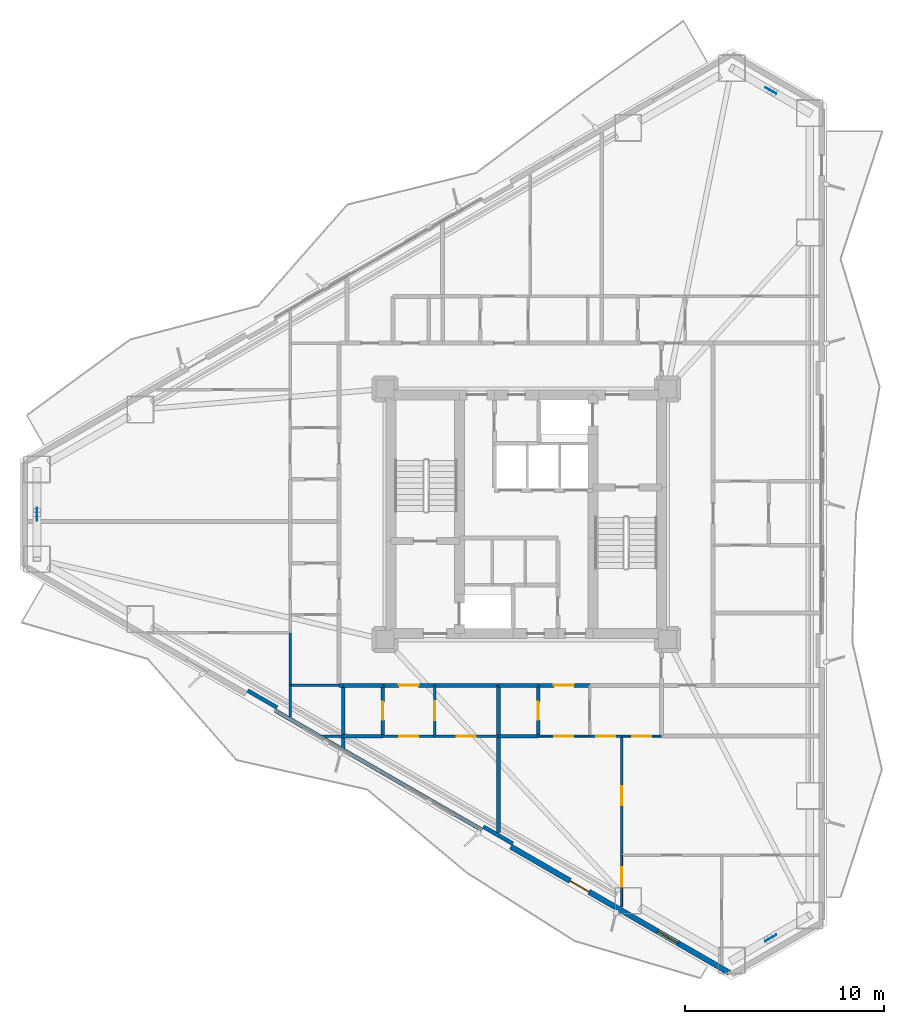
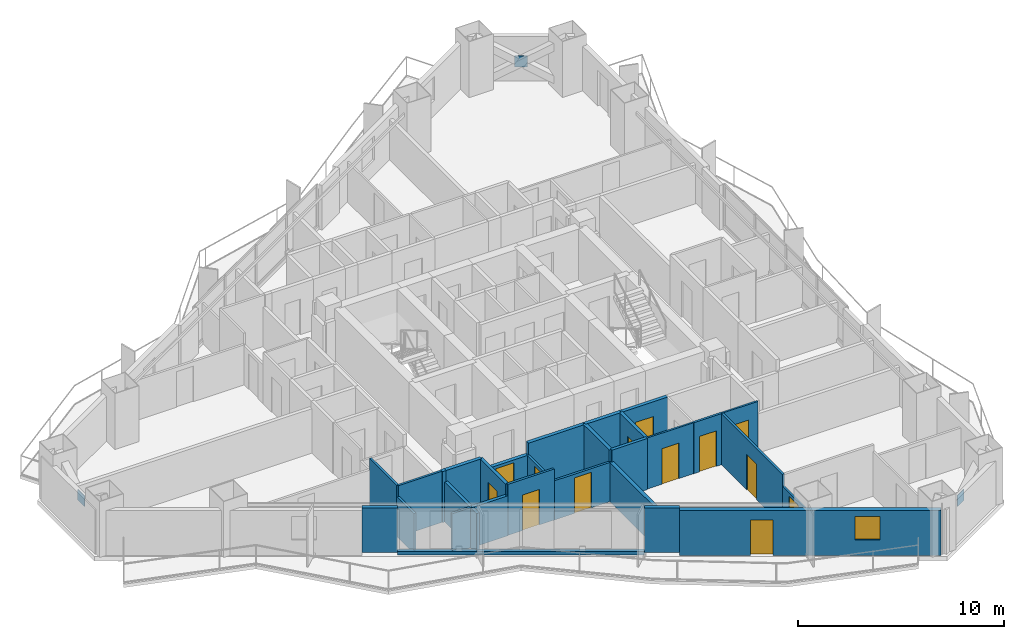
# One storey, part 11 of 18: 29 walls, 13 doors, 3 plates, 1 window, 14 openings.
"""IFC4 building model written with IfcOpenShell, lengths in metres."""

from ifc_helpers import new_model, si_unit, direction, frame, frame_2d, origin, origin_2d, place, context, subcontext, project, spatial, rectangle, extrude, material, layer, layer_set, type_object, element, fill, save


model = new_model("IFC4")

# Units and contexts
model_context = context("Model", 3, precision=1e-05, world=origin(), true_north=direction((0.0, 1.0)))
body_context = subcontext(model_context, "Body", "Model", "MODEL_VIEW")
ifc_project = project(units=[si_unit("LENGTHUNIT", "METRE"), si_unit("AREAUNIT", "SQUARE_METRE"), si_unit("VOLUMEUNIT", "CUBIC_METRE"), si_unit("PLANEANGLEUNIT", "RADIAN"), si_unit("MASSUNIT", "GRAM", prefix="KILO")], contexts=[model_context])

# Site, building, storey
site_placement = place(None, origin())
site = spatial("IfcSite", under=ifc_project, at=site_placement, CompositionType="ELEMENT")
building_placement = place(site_placement, origin())
building = spatial("IfcBuilding", under=site, at=building_placement, Name="Mersakhor Tower and Convention Hall", CompositionType="ELEMENT")
storey_placement = place(building_placement, frame((0.0, 0.0, 58.800048828125)))
storey = spatial("IfcBuildingStorey", under=building, at=storey_placement, Name="L16", CompositionType="ELEMENT", Elevation=58.800048828125)

# Plates
ifc_material_1 = material(Name="Steel S460", Category="steel")
ifc_layer_1 = layer(ifc_material_1, 0.0400390625)
ifc_layer_set_1 = layer_set([ifc_layer_1], Name="Steel S460")
plate_type = type_object("IfcPlateType", Name="PL-GUSSET-40", PredefinedType="SHEET", material=ifc_layer_set_1)
for number, where, z_axis, x_axis, name in (
    (1, (41.29345703125, 48.04296875, 1.18994140625), (0.0, 0.0, 1.0), (-0.866025403784, 0.5, 0.0), "L16 X-Brace Crossing Gusset Node Plate"),
    (2, (41.29345703125, 5.45703125, 1.18994140625), (0.0, 0.0, 1.0), (0.866025403784, 0.5, 0.0), "L16 X-Brace Crossing Gusset Node Plate"),
    (3, (4.4130859375, 26.75, 1.18994140625), (0.0, 0.0, 1.0), (0.0, -1.0, 0.0), "L16 X-Brace Crossing Gusset Node Plate"),
):
    element("IfcPlate", number, at=place(storey_placement, frame(where, z_axis=z_axis, x_axis=x_axis)), inside=storey, type_object=plate_type, Name=name, PredefinedType="SHEET", context=body_context, shape_type="SweptSolid", body=[
        extrude(rectangle(XDim=0.639892578125, YDim=0.0400390625, at=origin_2d()), origin(), (0.0, 0.0, 1.0), 0.639892578125),
    ])

# Wall, openings, door, window
ifc_material_2 = material(Name="Precast concrete C45/55", Category="concrete")
ifc_layer_2 = layer(ifc_material_2, 0.27490234375)
ifc_layer_set_2 = layer_set([ifc_layer_2], Name="Precast concrete C45/55")
wall_type_1 = type_object("IfcWallType", Name="WL-EXT-275", PredefinedType="SOLIDWALL", material=ifc_layer_set_2)
wall_1_placement = place(storey_placement, frame((39.20703125, 3.709716796875, 0.0), z_axis=(0.0, 0.0, 1.0), x_axis=(-0.86603192154, 0.499988710747, 0.0)))
wall_1 = element("IfcWall", 4, at=wall_1_placement, inside=storey, type_object=wall_type_1, Name="L16 Exterior Facade Wall F3-B1", PredefinedType="SOLIDWALL", context=body_context, shape_type="SweptSolid", body=[
    extrude(rectangle(XDim=12.673095703125, YDim=0.27490234375, at=frame_2d((6.33642578125, 0.0))), origin(), (0.0, 0.0, 1.0), 2.639892578125),
])
opening_1_placement = place(wall_1_placement, frame((8.135986328125, 0.0, 0.0)))
opening_1 = element("IfcOpeningElement", 5, at=opening_1_placement, cuts=wall_1, Name="Opening BD-02", PredefinedType="OPENING", context=body_context, shape_type="SweptSolid", body=[
    extrude(rectangle(XDim=1.10009765625, YDim=2.10009765625, at=frame_2d((0.550048828125, 1.050048828125))), frame((0.0, 0.1474609375, 0.0), z_axis=(0.0, -1.0, 0.0), x_axis=(1.0, 0.0, 0.0)), (0.0, 0.0, 1.0), 0.294921875),
])
opening_2_placement = place(wall_1_placement, frame((2.970947265625, 0.0, 0.89990234375)))
opening_2 = element("IfcOpeningElement", 6, at=opening_2_placement, cuts=wall_1, Name="Opening W-01", PredefinedType="OPENING", context=body_context, shape_type="SweptSolid", body=[
    extrude(rectangle(XDim=1.199951171875, YDim=1.39990234375, at=frame_2d((0.60009765625, 0.699951171875))), frame((0.0, 0.1474609375, 0.0), z_axis=(0.0, -1.0, 0.0), x_axis=(1.0, 0.0, 0.0)), (0.0, 0.0, 1.0), 0.294921875),
])
ifc_material_3 = material(Name="Thermally broken dark aluminium and safety glass", Category="aluminium")
door_type_1 = type_object("IfcDoorType", Name="DR-BAL-110x210", OperationType="NOTDEFINED", PredefinedType="DOOR", material=ifc_material_3)
door_1_placement = place(opening_1_placement, origin())
door_1 = element("IfcDoor", 7, at=door_1_placement, inside=storey, type_object=door_type_1, Name="L16 Balcony Terrace Door F3-B1", OperationType="SINGLE_SWING_RIGHT", OverallHeight=2.10009765625, OverallWidth=1.10009765625, PredefinedType="DOOR", context=body_context, shape_type="SweptSolid", body=[
    extrude(rectangle(XDim=1.10009765625, YDim=2.10009765625, at=frame_2d((0.550048828125, 1.050048828125))), frame((0.0, 0.02490234375, 0.0), z_axis=(0.0, -1.0, 0.0), x_axis=(1.0, 0.0, 0.0)), (0.0, 0.0, 1.0), 0.050048828125),
])
fill(opening_1, door_1)
ifc_material_4 = material(Name="Dark solar low-E glazed aluminium window", Category="aluminium")
window_type = type_object("IfcWindowType", Name="WN-RES-120x150", PartitioningType="SINGLE_PANEL", PredefinedType="WINDOW", material=ifc_material_4)
window_placement = place(opening_2_placement, origin())
window = element("IfcWindow", 8, at=window_placement, inside=storey, type_object=window_type, Name="L16 Bedroom Facade Window F3-B1-1", OverallHeight=1.39990234375, OverallWidth=1.199951171875, PartitioningType="SINGLE_PANEL", PredefinedType="WINDOW", context=body_context, shape_type="SweptSolid", body=[
    extrude(rectangle(XDim=1.199951171875, YDim=1.39990234375, at=frame_2d((0.60009765625, 0.699951171875))), frame((0.0, 0.030029296875, 0.0), z_axis=(0.0, -1.0, 0.0), x_axis=(1.0, 0.0, 0.0)), (0.0, 0.0, 1.0), 0.06005859375),
])
fill(opening_2, window)

# Walls
ifc_material_5 = material(Name="Precast concrete C40/50", Category="concrete")
ifc_layer_3 = layer(ifc_material_5, 0.199951171875)
ifc_layer_set_3 = layer_set([ifc_layer_3], Name="Precast concrete C40/50")
wall_type_2 = type_object("IfcWallType", Name="WL-PAR-200", PredefinedType="PARAPET", material=ifc_layer_set_3)
wall_2_placement = place(storey_placement, frame((26.759521484375, 10.896240234375, 0.0), z_axis=(0.0, 0.0, 1.0), x_axis=(-0.866027351828, 0.499996625875, 0.0)))
element("IfcWall", 9, at=wall_2_placement, inside=storey, type_object=wall_type_2, Name="L16 Curtain Wall Upstand Sill F3-B2", PredefinedType="PARAPET", context=body_context, shape_type="SweptSolid", body=[
    extrude(rectangle(XDim=11.97314453125, YDim=0.199951171875, at=frame_2d((5.986572265625, 0.0))), origin(), (0.0, 0.0, 1.0), 0.199951171875),
])
for number, where, z_axis, x_axis, name in (
    (10, (28.32177734375, 10.2021484375, 0.0), (0.0, 0.0, 1.0), (-0.86605165483, 0.499954529098, 0.0), "L16 Column Pier Cladding Wall F3-C1"),
    (11, (16.48046875, 17.038818359375, 0.0), (0.0, 0.0, 1.0), (-0.86605165483, 0.499954529098, 0.0), "L16 Column Pier Cladding Wall F3-C2"),
):
    element("IfcWall", number, at=place(storey_placement, frame(where, z_axis=z_axis, x_axis=x_axis)), inside=storey, type_object=wall_type_2, Name=name, PredefinedType="PARAPET", context=body_context, shape_type="SweptSolid", body=[
        extrude(rectangle(XDim=1.699951171875, YDim=0.199951171875, at=frame_2d((0.85009765625, 0.0))), origin(), (0.0, 0.0, 1.0), 2.639892578125),
    ])

# Wall, opening, door
ifc_material_6 = material(Name="Moisture-resistant acoustic drywall studwork", Category="other")
ifc_layer_4 = layer(ifc_material_6, 0.175048828125)
ifc_layer_set_4 = layer_set([ifc_layer_4], Name="Moisture-resistant acoustic drywall studwork")
wall_type_3 = type_object("IfcWallType", Name="WL-PLM-175", PredefinedType="PLUMBINGWALL", material=ifc_layer_set_4)
wall_3_placement = place(storey_placement, frame((21.800048828125, 15.60009765625, 0.0), z_axis=(0.0, 0.0, 1.0), x_axis=(0.0, 1.0, 0.0)))
wall_3 = element("IfcWall", 12, at=wall_3_placement, inside=storey, type_object=wall_type_3, Name="L16 Interior Partition Wall P-076", PredefinedType="PLUMBINGWALL", context=body_context, shape_type="SweptSolid", body=[
    extrude(rectangle(XDim=2.5498046875, YDim=0.175048828125, at=frame_2d((1.27490234375, 0.0))), origin(), (0.0, 0.0, 1.0), 3.02001953125),
])
opening_3_placement = place(wall_3_placement, frame((0.824951171875, 0.0, 0.0)))
opening_3 = element("IfcOpeningElement", 13, at=opening_3_placement, cuts=wall_3, Name="Opening WD-01", PredefinedType="OPENING", context=body_context, shape_type="SweptSolid", body=[
    extrude(rectangle(XDim=0.89990234375, YDim=2.10009765625, at=frame_2d((0.449951171875, 1.050048828125))), frame((0.0, 0.097412109375, 0.0), z_axis=(0.0, -1.0, 0.0), x_axis=(1.0, 0.0, 0.0)), (0.0, 0.0, 1.0), 0.195068359375),
])
ifc_material_7 = material(Name="Solid-core hardwood leaf in painted steel frame", Category="steel")
door_type_2 = type_object("IfcDoorType", Name="DR-INT-WET-090x210", OperationType="NOTDEFINED", PredefinedType="DOOR", material=ifc_material_7)
door_2_placement = place(opening_3_placement, origin())
door_2 = element("IfcDoor", 14, at=door_2_placement, inside=storey, type_object=door_type_2, Name="L16 L16 Flat S4 Apartment Hall to L16 Flat S4 Bathroom Door", OperationType="SINGLE_SWING_RIGHT", OverallHeight=2.10009765625, OverallWidth=0.89990234375, PredefinedType="DOOR", context=body_context, shape_type="SweptSolid", body=[
    extrude(rectangle(XDim=0.89990234375, YDim=2.10009765625, at=frame_2d((0.449951171875, 1.050048828125))), frame((0.0, 0.02490234375, 0.0), z_axis=(0.0, -1.0, 0.0), x_axis=(1.0, 0.0, 0.0)), (0.0, 0.0, 1.0), 0.050048828125),
])
fill(opening_3, door_2)

wall_4_placement = place(storey_placement, frame((29.60009765625, 15.60009765625, 0.0), z_axis=(0.0, 0.0, 1.0), x_axis=(0.0, 1.0, 0.0)))
wall_4 = element("IfcWall", 15, at=wall_4_placement, inside=storey, type_object=wall_type_3, Name="L16 Interior Partition Wall P-079", PredefinedType="PLUMBINGWALL", context=body_context, shape_type="SweptSolid", body=[
    extrude(rectangle(XDim=2.5498046875, YDim=0.175048828125, at=frame_2d((1.27490234375, 0.0))), origin(), (0.0, 0.0, 1.0), 3.02001953125),
])
opening_4_placement = place(wall_4_placement, frame((0.824951171875, 0.0, 0.0)))
opening_4 = element("IfcOpeningElement", 16, at=opening_4_placement, cuts=wall_4, Name="Opening WD-01", PredefinedType="OPENING", context=body_context, shape_type="SweptSolid", body=[
    extrude(rectangle(XDim=0.89990234375, YDim=2.10009765625, at=frame_2d((0.449951171875, 1.050048828125))), frame((0.0, 0.097412109375, 0.0), z_axis=(0.0, -1.0, 0.0), x_axis=(1.0, 0.0, 0.0)), (0.0, 0.0, 1.0), 0.195068359375),
])
door_3_placement = place(opening_4_placement, origin())
door_3 = element("IfcDoor", 17, at=door_3_placement, inside=storey, type_object=door_type_2, Name="L16 L16 Flat S5 Apartment Hall to L16 Flat S5 Bathroom Door", OperationType="SINGLE_SWING_LEFT", OverallHeight=2.10009765625, OverallWidth=0.89990234375, PredefinedType="DOOR", context=body_context, shape_type="SweptSolid", body=[
    extrude(rectangle(XDim=0.89990234375, YDim=2.10009765625, at=frame_2d((0.449951171875, 1.050048828125))), frame((0.0, 0.02490234375, 0.0), z_axis=(0.0, -1.0, 0.0), x_axis=(1.0, 0.0, 0.0)), (0.0, 0.0, 1.0), 0.050048828125),
])
fill(opening_4, door_3)

# Walls
wall_5_placement = place(storey_placement, frame((21.800048828125, 15.60009765625, 0.0), z_axis=(0.0, 0.0, 1.0), x_axis=(-1.0, 0.0, 0.0)))
element("IfcWall", 18, at=wall_5_placement, inside=storey, type_object=wall_type_3, Name="L16 Interior Partition Wall P-101", PredefinedType="PLUMBINGWALL", context=body_context, shape_type="SweptSolid", body=[
    extrude(rectangle(XDim=2.0, YDim=0.175048828125, at=frame_2d((1.0, 0.0))), origin(), (0.0, 0.0, 1.0), 2.364990234375),
])
wall_6_placement = place(storey_placement, frame((19.800048828125, 14.955810546875, 0.0), z_axis=(0.0, 0.0, 1.0), x_axis=(0.0, 1.0, 0.0)))
element("IfcWall", 19, at=wall_6_placement, inside=storey, type_object=wall_type_3, Name="L16 Interior Partition Wall P-102", PredefinedType="PLUMBINGWALL", context=body_context, shape_type="SweptSolid", body=[
    extrude(rectangle(XDim=3.194091796875, YDim=0.175048828125, at=frame_2d((1.59716796875, 0.0))), origin(), (0.0, 0.0, 1.0), 2.364990234375),
])
wall_7_placement = place(storey_placement, frame((29.60009765625, 15.60009765625, 0.0), z_axis=(0.0, 0.0, 1.0), x_axis=(-1.0, 0.0, 0.0)))
element("IfcWall", 20, at=wall_7_placement, inside=storey, type_object=wall_type_3, Name="L16 Interior Partition Wall P-105", PredefinedType="PLUMBINGWALL", context=body_context, shape_type="SweptSolid", body=[
    extrude(rectangle(XDim=2.0, YDim=0.175048828125, at=frame_2d((1.0, 0.0))), origin(), (0.0, 0.0, 1.0), 3.02001953125),
])

# Wall, opening, door
ifc_material_8 = material(Name="Lightweight gypsum partition", Category="other")
ifc_layer_5 = layer(ifc_material_8, 0.10009765625)
ifc_layer_set_5 = layer_set([ifc_layer_5], Name="Lightweight gypsum partition")
wall_type_4 = type_object("IfcWallType", Name="WL-PRT-100", PredefinedType="PARTITIONING", material=ifc_layer_set_5)
wall_8_placement = place(storey_placement, frame((32.199951171875, 15.60009765625, 0.0), z_axis=(0.0, 0.0, 1.0), x_axis=(-1.0, 0.0, 0.0)))
wall_8 = element("IfcWall", 21, at=wall_8_placement, inside=storey, type_object=wall_type_4, Name="L16 Interior Partition Wall P-078", PredefinedType="PARTITIONING", context=body_context, shape_type="SweptSolid", body=[
    extrude(rectangle(XDim=2.599853515625, YDim=0.10009765625, at=frame_2d((1.2998046875, 0.0))), origin(), (0.0, 0.0, 1.0), 3.02001953125),
])
opening_5_placement = place(wall_8_placement, frame((0.824951171875, 0.0, 0.0)))
opening_5 = element("IfcOpeningElement", 22, at=opening_5_placement, cuts=wall_8, Name="Opening RD-01", PredefinedType="OPENING", context=body_context, shape_type="SweptSolid", body=[
    extrude(rectangle(XDim=0.949951171875, YDim=2.10009765625, at=frame_2d((0.47509765625, 1.050048828125))), frame((0.0, 0.06005859375, 0.0), z_axis=(0.0, -1.0, 0.0), x_axis=(1.0, 0.0, 0.0)), (0.0, 0.0, 1.0), 0.1201171875),
])
ifc_material_9 = material(Name="Solid-core hardwood leaf in painted steel frame", Category="steel")
door_type_3 = type_object("IfcDoorType", Name="DR-INT-RM-095x210", OperationType="NOTDEFINED", PredefinedType="DOOR", material=ifc_material_9)
door_4_placement = place(opening_5_placement, origin())
door_4 = element("IfcDoor", 23, at=door_4_placement, inside=storey, type_object=door_type_3, Name="L16 L16 Flat S5 Apartment Hall to L16 Flat S5 Living and Dining Room Door", OperationType="SINGLE_SWING_LEFT", OverallHeight=2.10009765625, OverallWidth=0.949951171875, PredefinedType="DOOR", context=body_context, shape_type="SweptSolid", body=[
    extrude(rectangle(XDim=0.949951171875, YDim=2.10009765625, at=frame_2d((0.47509765625, 1.050048828125))), frame((0.0, 0.02490234375, 0.0), z_axis=(0.0, -1.0, 0.0), x_axis=(1.0, 0.0, 0.0)), (0.0, 0.0, 1.0), 0.050048828125),
])
fill(opening_5, door_4)

wall_9_placement = place(storey_placement, frame((35.800048828125, 15.60009765625, 0.0), z_axis=(0.0, 0.0, 1.0), x_axis=(-1.0, 0.0, 0.0)))
wall_9 = element("IfcWall", 24, at=wall_9_placement, inside=storey, type_object=wall_type_4, Name="L16 Interior Partition Wall P-106", PredefinedType="PARTITIONING", context=body_context, shape_type="SweptSolid", body=[
    extrude(rectangle(XDim=2.0, YDim=0.10009765625, at=frame_2d((1.0, 0.0))), origin(), (0.0, 0.0, 1.0), 3.02001953125),
])
opening_6_placement = place(wall_9_placement, frame((0.52490234375, 0.0, 0.0)))
opening_6 = element("IfcOpeningElement", 25, at=opening_6_placement, cuts=wall_9, Name="Opening RD-01", PredefinedType="OPENING", context=body_context, shape_type="SweptSolid", body=[
    extrude(rectangle(XDim=0.949951171875, YDim=2.10009765625, at=frame_2d((0.47509765625, 1.050048828125))), frame((0.0, 0.06005859375, 0.0), z_axis=(0.0, -1.0, 0.0), x_axis=(1.0, 0.0, 0.0)), (0.0, 0.0, 1.0), 0.1201171875),
])
door_5_placement = place(opening_6_placement, origin())
door_5 = element("IfcDoor", 26, at=door_5_placement, inside=storey, type_object=door_type_3, Name="L16 L16 Flat S5 Kitchen to L16 Flat S5 Dining Room Door", OperationType="SINGLE_SWING_RIGHT", OverallHeight=2.10009765625, OverallWidth=0.949951171875, PredefinedType="DOOR", context=body_context, shape_type="SweptSolid", body=[
    extrude(rectangle(XDim=0.949951171875, YDim=2.10009765625, at=frame_2d((0.47509765625, 1.050048828125))), frame((0.0, 0.02490234375, 0.0), z_axis=(0.0, -1.0, 0.0), x_axis=(1.0, 0.0, 0.0)), (0.0, 0.0, 1.0), 0.050048828125),
])
fill(opening_6, door_5)

wall_10_placement = place(storey_placement, frame((33.800048828125, 9.6201171875, 0.0), z_axis=(0.0, 0.0, 1.0), x_axis=(0.0, -1.0, 0.0)))
wall_10 = element("IfcWall", 27, at=wall_10_placement, inside=storey, type_object=wall_type_4, Name="L16 Interior Partition Wall P-132", PredefinedType="PARTITIONING", context=body_context, shape_type="SweptSolid", body=[
    extrude(rectangle(XDim=2.602294921875, YDim=0.10009765625, at=frame_2d((1.30126953125, 0.0))), origin(), (0.0, 0.0, 1.0), 2.3173828125),
])
opening_7_placement = place(wall_10_placement, frame((0.602294921875, 0.0, 0.0)))
opening_7 = element("IfcOpeningElement", 28, at=opening_7_placement, cuts=wall_10, Name="Opening RD-01", PredefinedType="OPENING", context=body_context, shape_type="SweptSolid", body=[
    extrude(rectangle(XDim=0.949951171875, YDim=2.10009765625, at=frame_2d((0.47509765625, 1.050048828125))), frame((0.0, 0.06005859375, 0.0), z_axis=(0.0, -1.0, 0.0), x_axis=(1.0, 0.0, 0.0)), (0.0, 0.0, 1.0), 0.1201171875),
])
door_6_placement = place(opening_7_placement, origin())
door_6 = element("IfcDoor", 29, at=door_6_placement, inside=storey, type_object=door_type_3, Name="L16 L16 Flat S5 Living and Dining Room to L16 Flat S5 Bedroom 1 Door", OperationType="SINGLE_SWING_LEFT", OverallHeight=2.10009765625, OverallWidth=0.949951171875, PredefinedType="DOOR", context=body_context, shape_type="SweptSolid", body=[
    extrude(rectangle(XDim=0.949951171875, YDim=2.10009765625, at=frame_2d((0.47509765625, 1.050048828125))), frame((0.0, 0.02490234375, 0.0), z_axis=(0.0, -1.0, 0.0), x_axis=(1.0, 0.0, 0.0)), (0.0, 0.0, 1.0), 0.050048828125),
])
fill(opening_7, door_6)

ifc_material_10 = material(Name="Gypsum board acoustic partition", Category="other")
ifc_layer_6 = layer(ifc_material_10, 0.125)
ifc_layer_set_6 = layer_set([ifc_layer_6], Name="Gypsum board acoustic partition")
wall_type_5 = type_object("IfcWallType", Name="WL-PRT-125", PredefinedType="PARTITIONING", material=ifc_layer_set_6)
wall_11_placement = place(storey_placement, frame((24.39990234375, 15.60009765625, 0.0), z_axis=(0.0, 0.0, 1.0), x_axis=(-1.0, 0.0, 0.0)))
wall_11 = element("IfcWall", 30, at=wall_11_placement, inside=storey, type_object=wall_type_5, Name="L16 Interior Partition Wall P-075", PredefinedType="PARTITIONING", context=body_context, shape_type="SweptSolid", body=[
    extrude(rectangle(XDim=2.599853515625, YDim=0.125, at=frame_2d((1.2998046875, 0.0))), origin(), (0.0, 0.0, 1.0), 3.02001953125),
])
opening_8_placement = place(wall_11_placement, frame((0.824951171875, 0.0, 0.0)))
opening_8 = element("IfcOpeningElement", 31, at=opening_8_placement, cuts=wall_11, Name="Opening RD-01", PredefinedType="OPENING", context=body_context, shape_type="SweptSolid", body=[
    extrude(rectangle(XDim=0.949951171875, YDim=2.10009765625, at=frame_2d((0.47509765625, 1.050048828125))), frame((0.0, 0.072509765625, 0.0), z_axis=(0.0, -1.0, 0.0), x_axis=(1.0, 0.0, 0.0)), (0.0, 0.0, 1.0), 0.14501953125),
])
door_7_placement = place(opening_8_placement, origin())
door_7 = element("IfcDoor", 32, at=door_7_placement, inside=storey, type_object=door_type_3, Name="L16 L16 Flat S4 Apartment Hall to L16 Flat S4 Studio Living and Sleeping Room Door", OperationType="SINGLE_SWING_RIGHT", OverallHeight=2.10009765625, OverallWidth=0.949951171875, PredefinedType="DOOR", context=body_context, shape_type="SweptSolid", body=[
    extrude(rectangle(XDim=0.949951171875, YDim=2.10009765625, at=frame_2d((0.47509765625, 1.050048828125))), frame((0.0, 0.02490234375, 0.0), z_axis=(0.0, -1.0, 0.0), x_axis=(1.0, 0.0, 0.0)), (0.0, 0.0, 1.0), 0.050048828125),
])
fill(opening_8, door_7)

wall_12_placement = place(storey_placement, frame((24.39990234375, 18.14990234375, 0.0), z_axis=(0.0, 0.0, 1.0), x_axis=(0.0, -1.0, 0.0)))
wall_12 = element("IfcWall", 33, at=wall_12_placement, inside=storey, type_object=wall_type_5, Name="L16 Interior Partition Wall P-077", PredefinedType="PARTITIONING", context=body_context, shape_type="SweptSolid", body=[
    extrude(rectangle(XDim=2.5498046875, YDim=0.125, at=frame_2d((1.27490234375, 0.0))), origin(), (0.0, 0.0, 1.0), 2.3173828125),
])
opening_9_placement = place(wall_12_placement, frame((0.800048828125, 0.0, 0.0)))
opening_9 = element("IfcOpeningElement", 34, at=opening_9_placement, cuts=wall_12, Name="Opening RD-01", PredefinedType="OPENING", context=body_context, shape_type="SweptSolid", body=[
    extrude(rectangle(XDim=0.949951171875, YDim=2.10009765625, at=frame_2d((0.47509765625, 1.050048828125))), frame((0.0, 0.072509765625, 0.0), z_axis=(0.0, -1.0, 0.0), x_axis=(1.0, 0.0, 0.0)), (0.0, 0.0, 1.0), 0.14501953125),
])
door_8_placement = place(opening_9_placement, origin())
door_8 = element("IfcDoor", 35, at=door_8_placement, inside=storey, type_object=door_type_3, Name="L16 L16 Flat S4 Apartment Hall to L16 Flat S4 Kitchen Door", OperationType="SINGLE_SWING_LEFT", OverallHeight=2.10009765625, OverallWidth=0.949951171875, PredefinedType="DOOR", context=body_context, shape_type="SweptSolid", body=[
    extrude(rectangle(XDim=0.949951171875, YDim=2.10009765625, at=frame_2d((0.47509765625, 1.050048828125))), frame((0.0, 0.02490234375, 0.0), z_axis=(0.0, -1.0, 0.0), x_axis=(1.0, 0.0, 0.0)), (0.0, 0.0, 1.0), 0.050048828125),
])
fill(opening_9, door_8)

wall_13_placement = place(storey_placement, frame((27.60009765625, 15.60009765625, 0.0), z_axis=(0.0, 0.0, 1.0), x_axis=(-1.0, 0.0, 0.0)))
wall_13 = element("IfcWall", 36, at=wall_13_placement, inside=storey, type_object=wall_type_5, Name="L16 Interior Partition Wall P-103", PredefinedType="PARTITIONING", context=body_context, shape_type="SweptSolid", body=[
    extrude(rectangle(XDim=3.2001953125, YDim=0.125, at=frame_2d((1.60009765625, 0.0))), origin(), (0.0, 0.0, 1.0), 2.3173828125),
])
opening_10_placement = place(wall_13_placement, frame((1.125, 0.0, 0.0)))
opening_10 = element("IfcOpeningElement", 37, at=opening_10_placement, cuts=wall_13, Name="Opening RD-01", PredefinedType="OPENING", context=body_context, shape_type="SweptSolid", body=[
    extrude(rectangle(XDim=0.949951171875, YDim=2.10009765625, at=frame_2d((0.47509765625, 1.050048828125))), frame((0.0, 0.072509765625, 0.0), z_axis=(0.0, -1.0, 0.0), x_axis=(1.0, 0.0, 0.0)), (0.0, 0.0, 1.0), 0.14501953125),
])
door_9_placement = place(opening_10_placement, origin())
door_9 = element("IfcDoor", 38, at=door_9_placement, inside=storey, type_object=door_type_3, Name="L16 L16 Flat S4 Kitchen to L16 Flat S4 Studio Living and Sleeping Room Door", OperationType="SINGLE_SWING_RIGHT", OverallHeight=2.10009765625, OverallWidth=0.949951171875, PredefinedType="DOOR", context=body_context, shape_type="SweptSolid", body=[
    extrude(rectangle(XDim=0.949951171875, YDim=2.10009765625, at=frame_2d((0.47509765625, 1.050048828125))), frame((0.0, 0.02490234375, 0.0), z_axis=(0.0, -1.0, 0.0), x_axis=(1.0, 0.0, 0.0)), (0.0, 0.0, 1.0), 0.050048828125),
])
fill(opening_10, door_9)

wall_14_placement = place(storey_placement, frame((33.800048828125, 15.60009765625, 0.0), z_axis=(0.0, 0.0, 1.0), x_axis=(-1.0, 0.0, 0.0)))
wall_14 = element("IfcWall", 39, at=wall_14_placement, inside=storey, type_object=wall_type_5, Name="L16 Interior Partition Wall P-107", PredefinedType="PARTITIONING", context=body_context, shape_type="SweptSolid", body=[
    extrude(rectangle(XDim=1.60009765625, YDim=0.125, at=frame_2d((0.800048828125, 0.0))), origin(), (0.0, 0.0, 1.0), 3.02001953125),
])
opening_11_placement = place(wall_14_placement, frame((0.324951171875, 0.0, 0.0)))
opening_11 = element("IfcOpeningElement", 40, at=opening_11_placement, cuts=wall_14, Name="Opening RD-01", PredefinedType="OPENING", context=body_context, shape_type="SweptSolid", body=[
    extrude(rectangle(XDim=0.949951171875, YDim=2.10009765625, at=frame_2d((0.47509765625, 1.050048828125))), frame((0.0, 0.072509765625, 0.0), z_axis=(0.0, -1.0, 0.0), x_axis=(1.0, 0.0, 0.0)), (0.0, 0.0, 1.0), 0.14501953125),
])
door_10_placement = place(opening_11_placement, origin())
door_10 = element("IfcDoor", 41, at=door_10_placement, inside=storey, type_object=door_type_3, Name="L16 L16 Flat S5 Kitchen to L16 Flat S5 Living and Dining Room Door", OperationType="SINGLE_SWING_LEFT", OverallHeight=2.10009765625, OverallWidth=0.949951171875, PredefinedType="DOOR", context=body_context, shape_type="SweptSolid", body=[
    extrude(rectangle(XDim=0.949951171875, YDim=2.10009765625, at=frame_2d((0.47509765625, 1.050048828125))), frame((0.0, 0.02490234375, 0.0), z_axis=(0.0, -1.0, 0.0), x_axis=(1.0, 0.0, 0.0)), (0.0, 0.0, 1.0), 0.050048828125),
])
fill(opening_11, door_10)

# Walls
wall_15_placement = place(storey_placement, frame((17.14990234375, 18.14990234375, 0.0), z_axis=(0.0, 0.0, 1.0), x_axis=(0.0, 1.0, 0.0)))
element("IfcWall", 42, at=wall_15_placement, inside=storey, type_object=wall_type_5, Name="L16 Interior Partition Wall P-115", PredefinedType="PARTITIONING", context=body_context, shape_type="SweptSolid", body=[
    extrude(rectangle(XDim=2.650146484375, YDim=0.125, at=frame_2d((1.3251953125, 0.0))), origin(), (0.0, 0.0, 1.0), 3.02001953125),
])
wall_16_placement = place(storey_placement, frame((19.60009765625, 18.14990234375, 0.0), z_axis=(0.0, 0.0, 1.0), x_axis=(-1.0, 0.0, 0.0)))
element("IfcWall", 43, at=wall_16_placement, inside=storey, type_object=wall_type_5, Name="L16 Interior Partition Wall P-117", PredefinedType="PARTITIONING", context=body_context, shape_type="SweptSolid", body=[
    extrude(rectangle(XDim=2.4501953125, YDim=0.125, at=frame_2d((1.22509765625, 0.0))), origin(), (0.0, 0.0, 1.0), 3.02001953125),
])
wall_17_placement = place(storey_placement, frame((18.677734375, 15.60009765625, 0.0), z_axis=(0.0, 0.0, 1.0), x_axis=(1.0, 0.0, 0.0)))
element("IfcWall", 44, at=wall_17_placement, inside=storey, type_object=wall_type_5, Name="L16 Interior Partition Wall P-129", PredefinedType="PARTITIONING", context=body_context, shape_type="SweptSolid", body=[
    extrude(rectangle(XDim=1.122314453125, YDim=0.125, at=frame_2d((0.56103515625, 0.0))), origin(), (0.0, 0.0, 1.0), 2.364990234375),
])

# Wall, opening, door
wall_18_placement = place(storey_placement, frame((33.800048828125, 15.60009765625, 0.0), z_axis=(0.0, 0.0, 1.0), x_axis=(0.0, -1.0, 0.0)))
wall_18 = element("IfcWall", 45, at=wall_18_placement, inside=storey, type_object=wall_type_5, Name="L16 Interior Partition Wall P-131", PredefinedType="PARTITIONING", context=body_context, shape_type="SweptSolid", body=[
    extrude(rectangle(XDim=5.97998046875, YDim=0.125, at=frame_2d((2.989990234375, 0.0))), origin(), (0.0, 0.0, 1.0), 3.02001953125),
])
opening_12_placement = place(wall_18_placement, frame((2.514892578125, 0.0, 0.0)))
opening_12 = element("IfcOpeningElement", 46, at=opening_12_placement, cuts=wall_18, Name="Opening RD-01", PredefinedType="OPENING", context=body_context, shape_type="SweptSolid", body=[
    extrude(rectangle(XDim=0.949951171875, YDim=2.10009765625, at=frame_2d((0.47509765625, 1.050048828125))), frame((0.0, 0.072509765625, 0.0), z_axis=(0.0, -1.0, 0.0), x_axis=(1.0, 0.0, 0.0)), (0.0, 0.0, 1.0), 0.14501953125),
])
door_11_placement = place(opening_12_placement, origin())
door_11 = element("IfcDoor", 47, at=door_11_placement, inside=storey, type_object=door_type_3, Name="L16 L16 Flat S5 Living and Dining Room to L16 Flat S5 Dining Room Door", OperationType="SINGLE_SWING_RIGHT", OverallHeight=2.10009765625, OverallWidth=0.949951171875, PredefinedType="DOOR", context=body_context, shape_type="SweptSolid", body=[
    extrude(rectangle(XDim=0.949951171875, YDim=2.10009765625, at=frame_2d((0.47509765625, 1.050048828125))), frame((0.0, 0.02490234375, 0.0), z_axis=(0.0, -1.0, 0.0), x_axis=(1.0, 0.0, 0.0)), (0.0, 0.0, 1.0), 0.050048828125),
])
fill(opening_12, door_11)

# Wall
wall_19_placement = place(storey_placement, frame((17.14990234375, 18.14990234375, 0.0), z_axis=(0.0, 0.0, 1.0), x_axis=(0.0, -1.0, 0.0)))
element("IfcWall", 48, at=wall_19_placement, inside=storey, type_object=wall_type_5, Name="L16 Interior Partition Wall P-143", PredefinedType="PARTITIONING", context=body_context, shape_type="SweptSolid", body=[
    extrude(rectangle(XDim=1.6640625, YDim=0.125, at=frame_2d((0.83203125, 0.0))), origin(), (0.0, 0.0, 1.0), 2.364990234375),
])

# Wall, opening, door
ifc_material_11 = material(Name="Acoustic concrete blockwork and gypsum board", Category="masonry")
ifc_layer_7 = layer(ifc_material_11, 0.199951171875)
ifc_layer_set_7 = layer_set([ifc_layer_7], Name="Acoustic concrete blockwork and gypsum board")
wall_type_6 = type_object("IfcWallType", Name="WL-PRT-200", PredefinedType="PARTITIONING", material=ifc_layer_set_7)
wall_20_placement = place(storey_placement, frame((32.199951171875, 18.14990234375, 0.0), z_axis=(0.0, 0.0, 1.0), x_axis=(-1.0, 0.0, 0.0)))
wall_20 = element("IfcWall", 49, at=wall_20_placement, inside=storey, type_object=wall_type_6, Name="L16 Interior Partition Wall P-025", PredefinedType="PARTITIONING", context=body_context, shape_type="SweptSolid", body=[
    extrude(rectangle(XDim=2.599853515625, YDim=0.199951171875, at=frame_2d((1.2998046875, 0.0))), origin(), (0.0, 0.0, 1.0), 3.02001953125),
])
opening_13_placement = place(wall_20_placement, frame((0.800048828125, 0.0, 0.0)))
opening_13 = element("IfcOpeningElement", 50, at=opening_13_placement, cuts=wall_20, Name="Opening FD-01", PredefinedType="OPENING", context=body_context, shape_type="SweptSolid", body=[
    extrude(rectangle(XDim=1.0, YDim=2.14990234375, at=frame_2d((0.5, 1.074951171875))), frame((0.0, 0.10986328125, 0.0), z_axis=(0.0, -1.0, 0.0), x_axis=(1.0, 0.0, 0.0)), (0.0, 0.0, 1.0), 0.219970703125),
])
ifc_material_12 = material(Name="Fire-rated hardwood leaf and painted steel frame", Category="steel")
door_type_4 = type_object("IfcDoorType", Name="DR-INT-FLT-100x215", OperationType="NOTDEFINED", PredefinedType="DOOR", material=ifc_material_12)
door_12_placement = place(opening_13_placement, origin())
door_12 = element("IfcDoor", 51, at=door_12_placement, inside=storey, type_object=door_type_4, Name="L16 Apartment Entrance Door (Residential Ring Corridor to L16 Flat S5 Apartment Hall)", OperationType="SINGLE_SWING_LEFT", OverallHeight=2.14990234375, OverallWidth=1.0, PredefinedType="DOOR", context=body_context, shape_type="SweptSolid", body=[
    extrude(rectangle(XDim=1.0, YDim=2.14990234375, at=frame_2d((0.5, 1.074951171875))), frame((0.0, 0.02490234375, 0.0), z_axis=(0.0, -1.0, 0.0), x_axis=(1.0, 0.0, 0.0)), (0.0, 0.0, 1.0), 0.050048828125),
])
fill(opening_13, door_12)

# Walls
wall_21_placement = place(storey_placement, frame((29.60009765625, 18.14990234375, 0.0), z_axis=(0.0, 0.0, 1.0), x_axis=(-1.0, 0.0, 0.0)))
element("IfcWall", 52, at=wall_21_placement, inside=storey, type_object=wall_type_6, Name="L16 Interior Partition Wall P-026", PredefinedType="PARTITIONING", context=body_context, shape_type="SweptSolid", body=[
    extrude(rectangle(XDim=2.0, YDim=0.199951171875, at=frame_2d((1.0, 0.0))), origin(), (0.0, 0.0, 1.0), 3.02001953125),
])
wall_22_placement = place(storey_placement, frame((27.60009765625, 18.14990234375, 0.0), z_axis=(0.0, 0.0, 1.0), x_axis=(-1.0, 0.0, 0.0)))
element("IfcWall", 53, at=wall_22_placement, inside=storey, type_object=wall_type_6, Name="L16 Interior Partition Wall P-027", PredefinedType="PARTITIONING", context=body_context, shape_type="SweptSolid", body=[
    extrude(rectangle(XDim=3.2001953125, YDim=0.199951171875, at=frame_2d((1.60009765625, 0.0))), origin(), (0.0, 0.0, 1.0), 3.02001953125),
])

# Wall, opening, door
wall_23_placement = place(storey_placement, frame((24.39990234375, 18.14990234375, 0.0), z_axis=(0.0, 0.0, 1.0), x_axis=(-1.0, 0.0, 0.0)))
wall_23 = element("IfcWall", 54, at=wall_23_placement, inside=storey, type_object=wall_type_6, Name="L16 Interior Partition Wall P-028", PredefinedType="PARTITIONING", context=body_context, shape_type="SweptSolid", body=[
    extrude(rectangle(XDim=2.599853515625, YDim=0.199951171875, at=frame_2d((1.2998046875, 0.0))), origin(), (0.0, 0.0, 1.0), 2.3173828125),
])
opening_14_placement = place(wall_23_placement, frame((0.800048828125, 0.0, 0.0)))
opening_14 = element("IfcOpeningElement", 55, at=opening_14_placement, cuts=wall_23, Name="Opening FD-01", PredefinedType="OPENING", context=body_context, shape_type="SweptSolid", body=[
    extrude(rectangle(XDim=1.0, YDim=2.14990234375, at=frame_2d((0.5, 1.074951171875))), frame((0.0, 0.10986328125, 0.0), z_axis=(0.0, -1.0, 0.0), x_axis=(1.0, 0.0, 0.0)), (0.0, 0.0, 1.0), 0.219970703125),
])
door_13_placement = place(opening_14_placement, origin())
door_13 = element("IfcDoor", 56, at=door_13_placement, inside=storey, type_object=door_type_4, Name="L16 Apartment Entrance Door (Residential Ring Corridor to L16 Flat S4 Apartment Hall)", OperationType="SINGLE_SWING_RIGHT", OverallHeight=2.14990234375, OverallWidth=1.0, PredefinedType="DOOR", context=body_context, shape_type="SweptSolid", body=[
    extrude(rectangle(XDim=1.0, YDim=2.14990234375, at=frame_2d((0.5, 1.074951171875))), frame((0.0, 0.02490234375, 0.0), z_axis=(0.0, -1.0, 0.0), x_axis=(1.0, 0.0, 0.0)), (0.0, 0.0, 1.0), 0.050048828125),
])
fill(opening_14, door_13)

# Walls
wall_24_placement = place(storey_placement, frame((21.800048828125, 18.14990234375, 0.0), z_axis=(0.0, 0.0, 1.0), x_axis=(-1.0, 0.0, 0.0)))
element("IfcWall", 57, at=wall_24_placement, inside=storey, type_object=wall_type_6, Name="L16 Interior Partition Wall P-029", PredefinedType="PARTITIONING", context=body_context, shape_type="SweptSolid", body=[
    extrude(rectangle(XDim=2.0, YDim=0.199951171875, at=frame_2d((1.0, 0.0))), origin(), (0.0, 0.0, 1.0), 3.02001953125),
])
wall_25_placement = place(storey_placement, frame((19.800048828125, 18.14990234375, 0.0), z_axis=(0.0, 0.0, 1.0), x_axis=(-1.0, 0.0, 0.0)))
element("IfcWall", 58, at=wall_25_placement, inside=storey, type_object=wall_type_6, Name="L16 Interior Partition Wall P-030", PredefinedType="PARTITIONING", context=body_context, shape_type="SweptSolid", body=[
    extrude(rectangle(XDim=0.199951171875, YDim=0.199951171875, at=frame_2d((0.10009765625, 0.0))), origin(), (0.0, 0.0, 1.0), 3.02001953125),
])
wall_26_placement = place(storey_placement, frame((27.60009765625, 18.14990234375, 0.0), z_axis=(0.0, 0.0, 1.0), x_axis=(0.0, -1.0, 0.0)))
element("IfcWall", 59, at=wall_26_placement, inside=storey, type_object=wall_type_6, Name="L16 Interior Partition Wall P-104", PredefinedType="PARTITIONING", context=body_context, shape_type="SweptSolid", body=[
    extrude(rectangle(XDim=2.5498046875, YDim=0.199951171875, at=frame_2d((1.27490234375, 0.0))), origin(), (0.0, 0.0, 1.0), 3.02001953125),
])
wall_27_placement = place(storey_placement, frame((27.60009765625, 15.60009765625, 0.0), z_axis=(0.0, 0.0, 1.0), x_axis=(0.0, -1.0, 0.0)))
element("IfcWall", 60, at=wall_27_placement, inside=storey, type_object=wall_type_6, Name="L16 Interior Partition Wall P-130", PredefinedType="PARTITIONING", context=body_context, shape_type="SweptSolid", body=[
    extrude(rectangle(XDim=4.838134765625, YDim=0.199951171875, at=frame_2d((2.4189453125, 0.0))), origin(), (0.0, 0.0, 1.0), 2.3173828125),
])

save(model, "model.ifc")
